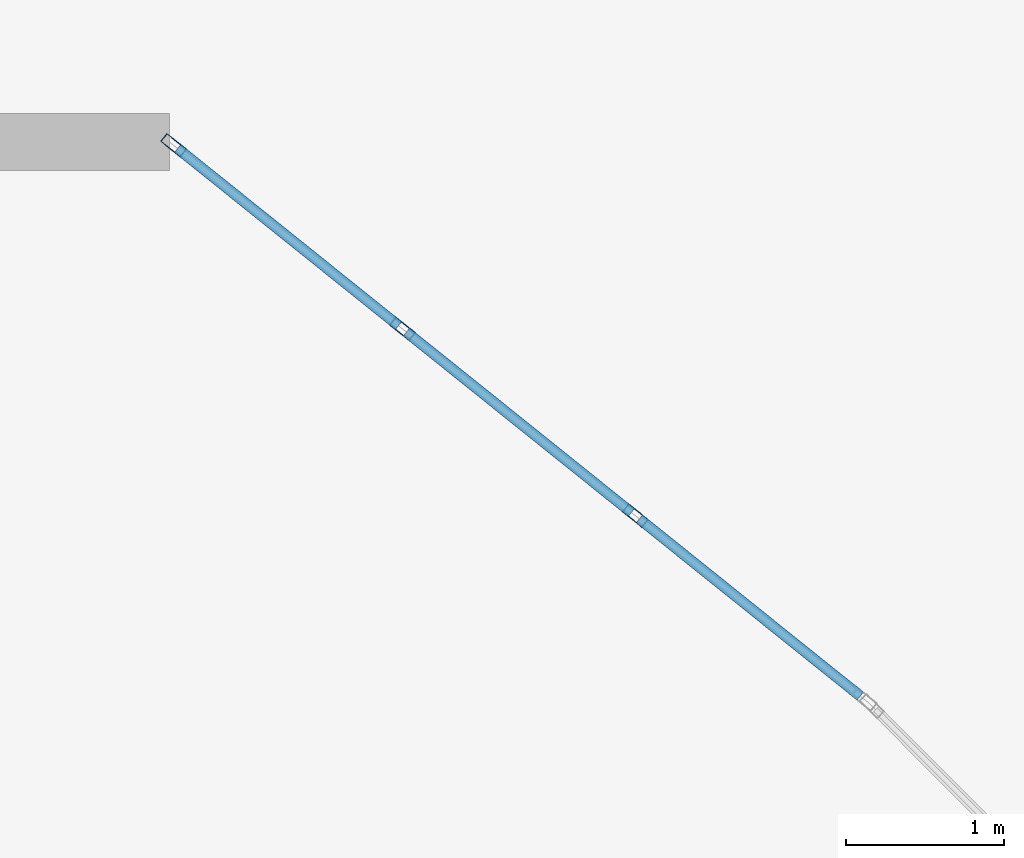
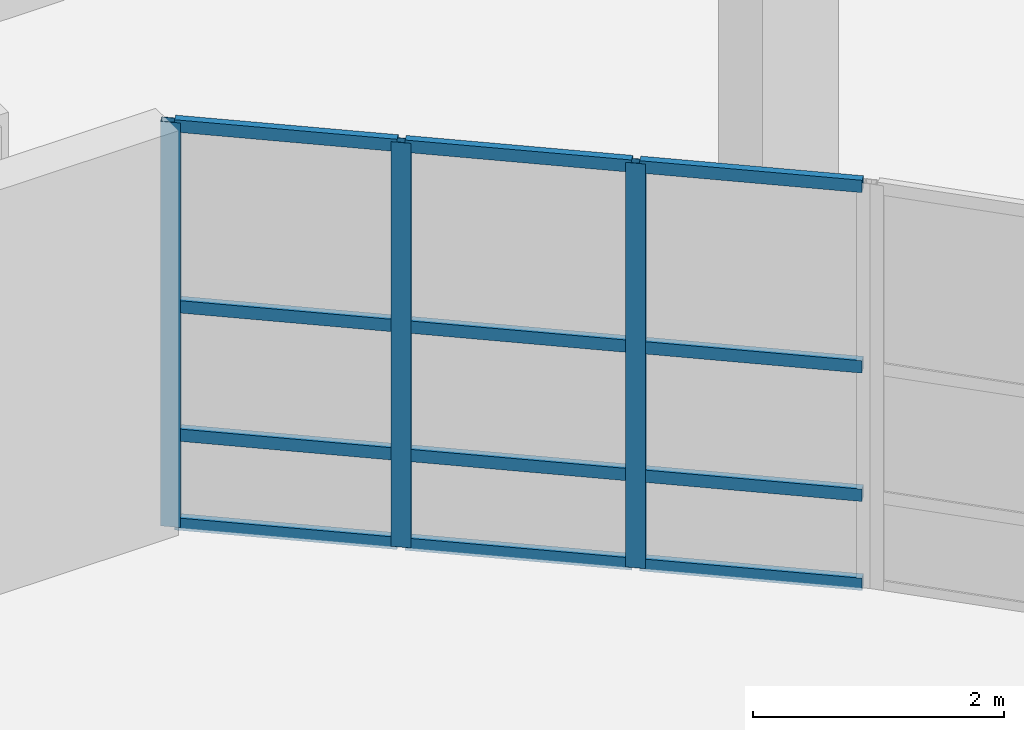
# One storey, part 51 of 114: 15 members, 1 element without a shape of its own.
"""IFC4 building model written with IfcOpenShell, lengths in metres."""

from ifc_helpers import new_model, si_unit, direction, frame, origin, origin_2d, place, context, subcontext, project, spatial, hollow_rectangle, extrude, material, layer, layer_set, material_profile, profile_set, type_object, element, aggregate, save


model = new_model("IFC4")

# Units and contexts
model_context = context("Model", 3, precision=1e-05, world=origin(), true_north=direction((0.0, 1.0)))
body_context = subcontext(model_context, "Body", "Model", "MODEL_VIEW")
ifc_project = project(units=[si_unit("LENGTHUNIT", "METRE"), si_unit("AREAUNIT", "SQUARE_METRE"), si_unit("VOLUMEUNIT", "CUBIC_METRE"), si_unit("PLANEANGLEUNIT", "RADIAN"), si_unit("MASSUNIT", "GRAM", prefix="KILO")], contexts=[model_context])

# Site, building, storey
site_placement = place(None, origin())
site = spatial("IfcSite", under=ifc_project, at=site_placement, CompositionType="ELEMENT")
building_placement = place(site_placement, origin())
building = spatial("IfcBuilding", under=site, at=building_placement, Name="Keldmere Railside Commons", CompositionType="ELEMENT")
storey_placement = place(building_placement, origin())
storey = spatial("IfcBuildingStorey", under=building, at=storey_placement, Name="L00", CompositionType="ELEMENT", Elevation=0.0)

# Curtain wall, members
ifc_material = material(Name="Thermally Broken Aluminium", Category="aluminium")
ifc_layer = layer(ifc_material, 0.159912109375, Name="Residential Lounge Frontage CW 4600x3600")
ifc_layer_set = layer_set([ifc_layer], Name="Thermally Broken Aluminium")
curtain_wall_type = type_object("IfcCurtainWallType", Name="Residential Lounge Frontage CW 4600x3600", PredefinedType="NOTDEFINED", material=ifc_layer_set)
curtain_wall_placement = place(storey_placement, origin())
curtain_wall = element("IfcCurtainWall", 1, at=curtain_wall_placement, inside=storey, type_object=curtain_wall_type, Name="CW-11 CW-L00-157", PredefinedType="NOTDEFINED")
ifc_material_profile_1 = material_profile(ifc_material, hollow_rectangle(XDim=0.06494140625, YDim=0.159912109375, WallThickness=0.00390625, at=origin_2d()), Name="ALU-MULL-65x160")
ifc_profile_set_1 = profile_set([ifc_material_profile_1], Name="Thermally Broken Aluminium")
member_type_1 = type_object("IfcMemberType", Name="Unitised Curtain Wall Mullion 65x160", PredefinedType="MULLION", material=ifc_profile_set_1)
member_1_placement = place(storey_placement, frame((158.953369140625, 97.630615234375, 0.0), z_axis=(0.0, 0.0, 1.0), x_axis=(-0.625768080915, -0.780009172323, 0.0)))
member_1 = element("IfcMember", 2, at=member_1_placement, type_object=member_type_1, Name="CW-11 mullion 2", PredefinedType="MULLION", context=body_context, shape_type="SweptSolid", body=[
    extrude(hollow_rectangle(XDim=0.06494140625, YDim=0.159912109375, WallThickness=0.00390625, at=origin_2d()), origin(), (0.0, 0.0, 1.0), 3.93994140625),
])
member_2_placement = place(storey_placement, frame((157.4765625, 98.8154296875, 0.0), z_axis=(0.0, 0.0, 1.0), x_axis=(-0.625768080915, -0.780009172323, 0.0)))
member_2 = element("IfcMember", 3, at=member_2_placement, type_object=member_type_1, Name="CW-11 mullion 3", PredefinedType="MULLION", context=body_context, shape_type="SweptSolid", body=[
    extrude(hollow_rectangle(XDim=0.06494140625, YDim=0.159912109375, WallThickness=0.00390625, at=origin_2d()), origin(), (0.0, 0.0, 1.0), 3.93994140625),
])
member_3_placement = place(storey_placement, frame((156.025390625, 99.979736328125, 0.0), z_axis=(0.0, 0.0, 1.0), x_axis=(-0.625768080915, -0.780009172323, 0.0)))
member_3 = element("IfcMember", 4, at=member_3_placement, type_object=member_type_1, Name="CW-11 mullion 4", PredefinedType="MULLION", context=body_context, shape_type="SweptSolid", body=[
    extrude(hollow_rectangle(XDim=0.06494140625, YDim=0.159912109375, WallThickness=0.00390625, at=origin_2d()), origin(), (0.0, 0.0, 1.0), 3.93994140625),
])
ifc_material_profile_2 = material_profile(ifc_material, hollow_rectangle(XDim=0.06494140625, YDim=0.1201171875, WallThickness=0.00390625, at=origin_2d()), Name="ALU-TRAN-65x120")
ifc_profile_set_2 = profile_set([ifc_material_profile_2], Name="Thermally Broken Aluminium")
member_type_2 = type_object("IfcMemberType", Name="Unitised Curtain Wall Transom 65x120", PredefinedType="USERDEFINED", material=ifc_profile_set_2)
member_4_placement = place(storey_placement, frame((160.37939453125, 96.486572265625, 0.032470703125), z_axis=(-0.779979331565, 0.625805275091, 0.0), x_axis=(-0.625805275091, -0.779979331565, 0.0)))
member_4 = element("IfcMember", 5, at=member_4_placement, type_object=member_type_2, Name="CW-11 transom 1.1", ObjectType="TRANSOM", PredefinedType="USERDEFINED", context=body_context, shape_type="SweptSolid", body=[
    extrude(hollow_rectangle(XDim=0.06494140625, YDim=0.1201171875, WallThickness=0.00390625, at=origin_2d()), origin(), (0.0, 0.0, 1.0), 1.795654296875),
])
member_5_placement = place(storey_placement, frame((160.37939453125, 96.486572265625, 0.89990234375), z_axis=(-0.779979331565, 0.625805275091, 0.0), x_axis=(-0.625805275091, -0.779979331565, 0.0)))
member_5 = element("IfcMember", 6, at=member_5_placement, type_object=member_type_2, Name="CW-11 transom 1.2", ObjectType="TRANSOM", PredefinedType="USERDEFINED", context=body_context, shape_type="SweptSolid", body=[
    extrude(hollow_rectangle(XDim=0.06494140625, YDim=0.1201171875, WallThickness=0.00390625, at=origin_2d()), origin(), (0.0, 0.0, 1.0), 1.795654296875),
])
member_6_placement = place(storey_placement, frame((160.37939453125, 96.486572265625, 2.14990234375), z_axis=(-0.779979331565, 0.625805275091, 0.0), x_axis=(-0.625805275091, -0.779979331565, 0.0)))
member_6 = element("IfcMember", 7, at=member_6_placement, type_object=member_type_2, Name="CW-11 transom 1.3", ObjectType="TRANSOM", PredefinedType="USERDEFINED", context=body_context, shape_type="SweptSolid", body=[
    extrude(hollow_rectangle(XDim=0.06494140625, YDim=0.1201171875, WallThickness=0.00390625, at=origin_2d()), origin(), (0.0, 0.0, 1.0), 1.795654296875),
])
member_7_placement = place(storey_placement, frame((160.37939453125, 96.486572265625, 3.907470703125), z_axis=(-0.779979331565, 0.625805275091, 0.0), x_axis=(-0.625805275091, -0.779979331565, 0.0)))
member_7 = element("IfcMember", 8, at=member_7_placement, type_object=member_type_2, Name="CW-11 transom 1.4", ObjectType="TRANSOM", PredefinedType="USERDEFINED", context=body_context, shape_type="SweptSolid", body=[
    extrude(hollow_rectangle(XDim=0.06494140625, YDim=0.1201171875, WallThickness=0.00390625, at=origin_2d()), origin(), (0.0, 0.0, 1.0), 1.795654296875),
])
member_8_placement = place(storey_placement, frame((158.927978515625, 97.651123046875, 0.032470703125), z_axis=(-0.78007338409, 0.625688033635, 0.0), x_axis=(-0.625688033635, -0.78007338409, 0.0)))
member_8 = element("IfcMember", 9, at=member_8_placement, type_object=member_type_2, Name="CW-11 transom 2.1", ObjectType="TRANSOM", PredefinedType="USERDEFINED", context=body_context, shape_type="SweptSolid", body=[
    extrude(hollow_rectangle(XDim=0.06494140625, YDim=0.1201171875, WallThickness=0.00390625, at=origin_2d()), origin(), (0.0, 0.0, 1.0), 1.828125),
])
member_9_placement = place(storey_placement, frame((158.927978515625, 97.651123046875, 0.89990234375), z_axis=(-0.78007338409, 0.625688033635, 0.0), x_axis=(-0.625688033635, -0.78007338409, 0.0)))
member_9 = element("IfcMember", 10, at=member_9_placement, type_object=member_type_2, Name="CW-11 transom 2.2", ObjectType="TRANSOM", PredefinedType="USERDEFINED", context=body_context, shape_type="SweptSolid", body=[
    extrude(hollow_rectangle(XDim=0.06494140625, YDim=0.1201171875, WallThickness=0.00390625, at=origin_2d()), origin(), (0.0, 0.0, 1.0), 1.828125),
])
member_10_placement = place(storey_placement, frame((158.927978515625, 97.651123046875, 2.14990234375), z_axis=(-0.78007338409, 0.625688033635, 0.0), x_axis=(-0.625688033635, -0.78007338409, 0.0)))
member_10 = element("IfcMember", 11, at=member_10_placement, type_object=member_type_2, Name="CW-11 transom 2.3", ObjectType="TRANSOM", PredefinedType="USERDEFINED", context=body_context, shape_type="SweptSolid", body=[
    extrude(hollow_rectangle(XDim=0.06494140625, YDim=0.1201171875, WallThickness=0.00390625, at=origin_2d()), origin(), (0.0, 0.0, 1.0), 1.828125),
])
member_11_placement = place(storey_placement, frame((158.927978515625, 97.651123046875, 3.907470703125), z_axis=(-0.78007338409, 0.625688033635, 0.0), x_axis=(-0.625688033635, -0.78007338409, 0.0)))
member_11 = element("IfcMember", 12, at=member_11_placement, type_object=member_type_2, Name="CW-11 transom 2.4", ObjectType="TRANSOM", PredefinedType="USERDEFINED", context=body_context, shape_type="SweptSolid", body=[
    extrude(hollow_rectangle(XDim=0.06494140625, YDim=0.1201171875, WallThickness=0.00390625, at=origin_2d()), origin(), (0.0, 0.0, 1.0), 1.828125),
])
member_12_placement = place(storey_placement, frame((157.451416015625, 98.835693359375, 0.032470703125), z_axis=(-0.780045694992, 0.625722553313, 0.0), x_axis=(-0.625722553313, -0.780045694992, 0.0)))
member_12 = element("IfcMember", 13, at=member_12_placement, type_object=member_type_2, Name="CW-11 transom 3.1", ObjectType="TRANSOM", PredefinedType="USERDEFINED", context=body_context, shape_type="SweptSolid", body=[
    extrude(hollow_rectangle(XDim=0.06494140625, YDim=0.1201171875, WallThickness=0.00390625, at=origin_2d()), origin(), (0.0, 0.0, 1.0), 1.795654296875),
])
member_13_placement = place(storey_placement, frame((157.451416015625, 98.835693359375, 0.89990234375), z_axis=(-0.780045694992, 0.625722553313, 0.0), x_axis=(-0.625722553313, -0.780045694992, 0.0)))
member_13 = element("IfcMember", 14, at=member_13_placement, type_object=member_type_2, Name="CW-11 transom 3.2", ObjectType="TRANSOM", PredefinedType="USERDEFINED", context=body_context, shape_type="SweptSolid", body=[
    extrude(hollow_rectangle(XDim=0.06494140625, YDim=0.1201171875, WallThickness=0.00390625, at=origin_2d()), origin(), (0.0, 0.0, 1.0), 1.795654296875),
])
member_14_placement = place(storey_placement, frame((157.451416015625, 98.835693359375, 2.14990234375), z_axis=(-0.780045694992, 0.625722553313, 0.0), x_axis=(-0.625722553313, -0.780045694992, 0.0)))
member_14 = element("IfcMember", 15, at=member_14_placement, type_object=member_type_2, Name="CW-11 transom 3.3", ObjectType="TRANSOM", PredefinedType="USERDEFINED", context=body_context, shape_type="SweptSolid", body=[
    extrude(hollow_rectangle(XDim=0.06494140625, YDim=0.1201171875, WallThickness=0.00390625, at=origin_2d()), origin(), (0.0, 0.0, 1.0), 1.795654296875),
])
member_15_placement = place(storey_placement, frame((157.451416015625, 98.835693359375, 3.907470703125), z_axis=(-0.780045694992, 0.625722553313, 0.0), x_axis=(-0.625722553313, -0.780045694992, 0.0)))
member_15 = element("IfcMember", 16, at=member_15_placement, type_object=member_type_2, Name="CW-11 transom 3.4", ObjectType="TRANSOM", PredefinedType="USERDEFINED", context=body_context, shape_type="SweptSolid", body=[
    extrude(hollow_rectangle(XDim=0.06494140625, YDim=0.1201171875, WallThickness=0.00390625, at=origin_2d()), origin(), (0.0, 0.0, 1.0), 1.795654296875),
])
aggregate(curtain_wall, [member_1, member_2, member_3, member_4, member_5, member_6, member_7, member_8, member_9, member_10, member_11, member_12, member_13, member_14, member_15])

save(model, "model.ifc")
